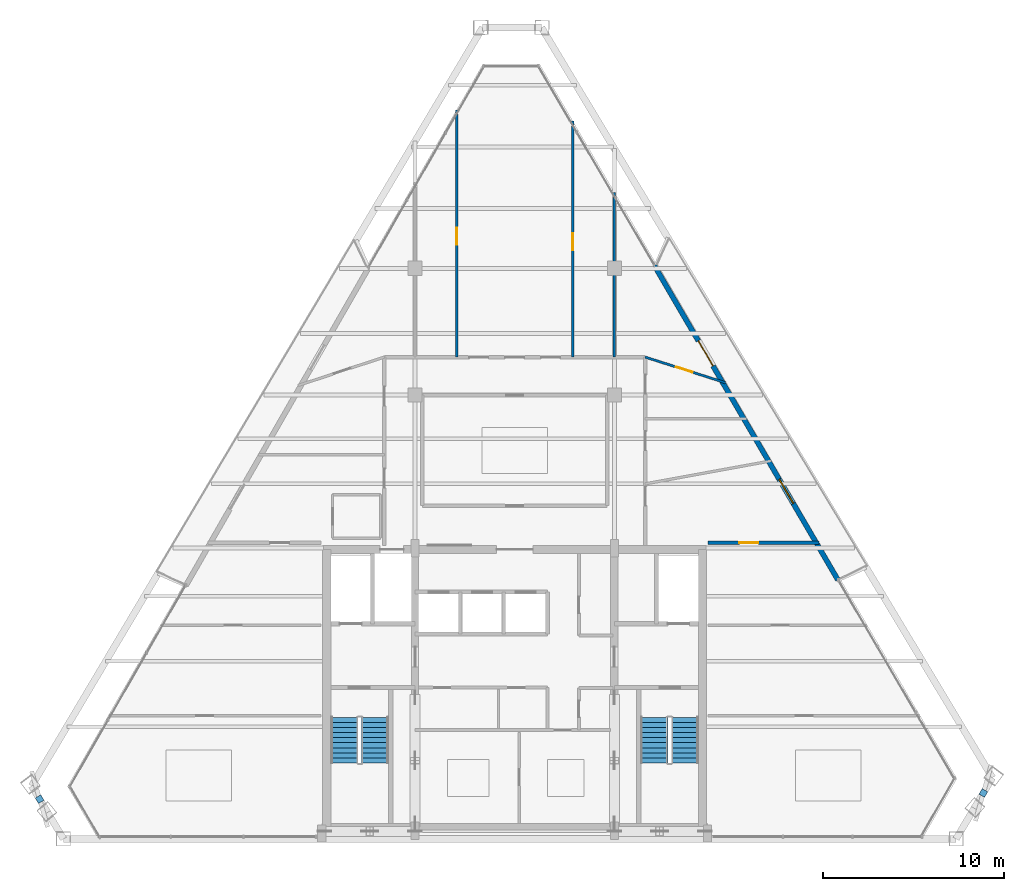
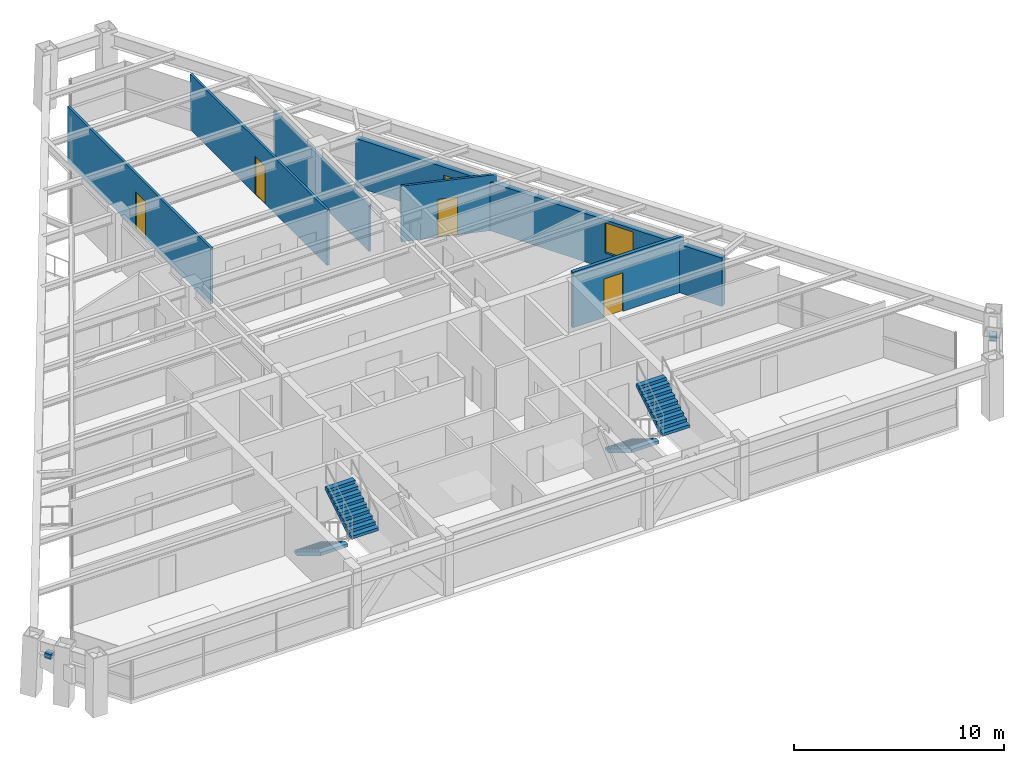
# One storey, part 11 of 13: 6 walls, 5 doors, 4 stair flights, 2 discrete accessories, 1 window, 6 openings, 2 elements without a shape of their own.
"""IFC4 building model written with IfcOpenShell, lengths in metres."""

import ifcopenshell
import ifcopenshell.guid

model = None  # the IFC model being written
_history = None  # IfcOwnerHistory: only IFC2X3 demands one
_inside = {}  # id of a spatial element -> (the spatial element, [elements in it])
_under = {}  # id of a project, library or spatial element -> (it, [spatial elements below it])
_declared = {}  # id of a project -> (the project, [libraries it declares])
_typed = {}  # id of a type object -> (the type object, [elements of that type])
_made_of = {}  # id of a material, layer set ... -> (it, [elements and type objects made of it])


def new_model(schema):
    """Start an empty IFC model of exactly this schema.

    Asked for "IFC4X3", IfcOpenShell would pick the latest addendum, in which some entities
    have other attributes; the version numbers below select the first issue.
    IFC2X3 requires an IfcOwnerHistory on every rooted entity: one is made here for all.
    """
    global model, _history
    if schema == "IFC4X3":
        model = ifcopenshell.file(schema_version=(4, 3, 0, 0))
    else:
        model = ifcopenshell.file(schema=schema)
    _inside.clear()
    _under.clear()
    _declared.clear()
    _typed.clear()
    _made_of.clear()
    _history = None
    if model.schema == "IFC2X3":
        org = make("IfcOrganization", Name="unknown")
        user = make(
            "IfcPersonAndOrganization",
            ThePerson=make("IfcPerson", FamilyName="unknown"),
            TheOrganization=org,
        )
        app = make(
            "IfcApplication",
            ApplicationDeveloper=org,
            Version="unknown",
            ApplicationFullName="unknown",
            ApplicationIdentifier="unknown",
        )
        _history = make(
            "IfcOwnerHistory",
            OwningUser=user,
            OwningApplication=app,
            ChangeAction="ADDED",
            CreationDate=0,
        )
    return model


def make(cls, **values):
    """One entity of the class cls with the attributes given. An attribute that is None is left unset."""
    return model.create_entity(
        cls, **{name: value for name, value in values.items() if value is not None}
    )


def rooted(cls, **values):
    """An entity with a GlobalId (a new one), such as an element, a storey or a relation."""
    return make(cls, GlobalId=ifcopenshell.guid.new(), OwnerHistory=_history, **values)


def si_unit(unit_type, name, prefix=None):
    """IfcSIUnit, for example si_unit("LENGTHUNIT", "METRE", prefix="MILLI")."""
    return make("IfcSIUnit", UnitType=unit_type, Prefix=prefix, Name=name)


def assignment(units):
    """IfcUnitAssignment: the units of a project."""
    return None if units is None else make("IfcUnitAssignment", Units=units)


def point(xyz):
    """IfcCartesianPoint."""
    return None if xyz is None else make("IfcCartesianPoint", Coordinates=xyz)


def direction(xyz):
    """IfcDirection."""
    return None if xyz is None else make("IfcDirection", DirectionRatios=xyz)


def frame(location, z_axis=None, x_axis=None):
    """IfcAxis2Placement3D, a coordinate frame: its origin and axes. An axis left out is left unset."""
    return make(
        "IfcAxis2Placement3D",
        Location=point(location),
        Axis=direction(z_axis),
        RefDirection=direction(x_axis),
    )


def frame_2d(location, x_axis=None):
    """IfcAxis2Placement2D, a coordinate frame in the plane: its origin and x axis."""
    return make(
        "IfcAxis2Placement2D", Location=point(location), RefDirection=direction(x_axis)
    )


def origin():
    """The frame at (0, 0, 0) with its axes left unset."""
    return frame((0.0, 0.0, 0.0))


def origin_2d():
    """The frame at (0, 0) in the plane with its x axis left unset."""
    return frame_2d((0.0, 0.0))


def place(relative_to, where):
    """IfcLocalPlacement: puts the frame where relative to a parent placement (None: the world)."""
    return make(
        "IfcLocalPlacement", PlacementRelTo=relative_to, RelativePlacement=where
    )


def context(
    kind, dimensions, precision=None, world=None, true_north=None, identifier=None
):
    """IfcGeometricRepresentationContext, for example the 3D "Model" context."""
    return make(
        "IfcGeometricRepresentationContext",
        ContextIdentifier=identifier,
        ContextType=kind,
        CoordinateSpaceDimension=dimensions,
        Precision=precision,
        WorldCoordinateSystem=world,
        TrueNorth=true_north,
    )


def subcontext(parent, identifier, kind, view, scale=None):
    """IfcGeometricRepresentationSubContext, for example "Body" below "Model"."""
    return make(
        "IfcGeometricRepresentationSubContext",
        ContextIdentifier=identifier,
        ContextType=kind,
        ParentContext=parent,
        TargetScale=scale,
        TargetView=view,
    )


def project(units=None, contexts=None):
    """IfcProject with its units and contexts."""
    return rooted(
        "IfcProject",
        Name="project",
        RepresentationContexts=contexts,
        UnitsInContext=assignment(units),
    )


def spatial(cls, under=None, at=None, **own):
    """A site, building, storey or space (cls), placed at a placement, below another one or the project."""
    s = rooted(cls, ObjectPlacement=at, **own)
    if under is not None:
        _under.setdefault(under.id(), (under, []))[1].append(s)
    return s


def polyline(points):
    """IfcPolyline through the points."""
    return make("IfcPolyline", Points=[point(p) for p in points])


def profile(cls, at=None, kind="AREA", **sizes):
    """A parametric profile (cls). Its sizes go by their IFC names, for example OverallWidth=200.0."""
    return make(cls, ProfileType=kind, Position=at, **sizes)


def rectangle(**sizes):
    """IfcRectangleProfileDef."""
    return profile("IfcRectangleProfileDef", **sizes)


def outline(outer, holes=None, kind="AREA"):
    """IfcArbitraryClosedProfileDef: a profile drawn as a closed curve; with holes, ...WithVoids."""
    if holes is None:
        return make("IfcArbitraryClosedProfileDef", ProfileType=kind, OuterCurve=outer)
    return make(
        "IfcArbitraryProfileDefWithVoids",
        ProfileType=kind,
        OuterCurve=outer,
        InnerCurves=holes,
    )


def extrude(swept, where, along, depth):
    """IfcExtrudedAreaSolid: the profile swept, set in the frame where, extruded along a direction by depth."""
    return make(
        "IfcExtrudedAreaSolid",
        SweptArea=swept,
        Position=where,
        ExtrudedDirection=direction(along),
        Depth=depth,
    )


def shape(context_of_items, identifier, shape_type, items):
    """IfcShapeRepresentation: the items that make up one representation, for example the "Body"."""
    return make(
        "IfcShapeRepresentation",
        ContextOfItems=context_of_items,
        RepresentationIdentifier=identifier,
        RepresentationType=shape_type,
        Items=items,
    )


def source(mapping_origin, context_of_items, identifier, shape_type, items):
    """IfcRepresentationMap: a shape defined once, which mapped items show again and again."""
    return make(
        "IfcRepresentationMap",
        MappingOrigin=mapping_origin,
        MappedRepresentation=shape(context_of_items, identifier, shape_type, items),
    )


def transform(
    local_origin,
    x_axis=None,
    y_axis=None,
    z_axis=None,
    scale=None,
    scale2=None,
    scale3=None,
    uniform=True,
):
    """IfcCartesianTransformationOperator3D, or its non-uniform kind. x_axis, y_axis, z_axis: its Axis1, 2, 3."""
    if uniform:
        return make(
            "IfcCartesianTransformationOperator3D",
            Axis1=direction(x_axis),
            Axis2=direction(y_axis),
            LocalOrigin=point(local_origin),
            Scale=scale,
            Axis3=direction(z_axis),
        )
    return make(
        "IfcCartesianTransformationOperator3DnonUniform",
        Axis1=direction(x_axis),
        Axis2=direction(y_axis),
        LocalOrigin=point(local_origin),
        Scale=scale,
        Axis3=direction(z_axis),
        Scale2=scale2,
        Scale3=scale3,
    )


def mapped(mapping_source, mapping_target):
    """IfcMappedItem: shows the shape of a source again, moved by a transform."""
    return make(
        "IfcMappedItem", MappingSource=mapping_source, MappingTarget=mapping_target
    )


def material(Name=None, Category=None):
    """IfcMaterial."""
    return make("IfcMaterial", Name=Name, Category=Category)


def layer(
    of_material, thickness, ventilated=None, Name=None, Category=None, Priority=None
):
    """IfcMaterialLayer: one layer of a wall or slab, of a material (None: an air gap)."""
    return make(
        "IfcMaterialLayer",
        Material=of_material,
        LayerThickness=thickness,
        IsVentilated=ventilated,
        Name=Name,
        Category=Category,
        Priority=Priority,
    )


def layer_set(layers, Name=None):
    """IfcMaterialLayerSet."""
    return make("IfcMaterialLayerSet", MaterialLayers=layers, LayerSetName=Name)


def made_of(thing, what):
    """Note that an element or type object is made of a material, layer set ...; save() writes the relation."""
    if what is not None:
        _made_of.setdefault(what.id(), (what, []))[1].append(thing)
    return thing


def type_object(cls, material=None, **own):
    """A type object (cls), such as IfcWallType, which elements share."""
    return made_of(rooted(cls, **own), material)


def type_shapes(of_type, sources):
    """Give a type object the sources (RepresentationMaps) that its elements show as mapped items."""
    of_type.RepresentationMaps = sources


def element(
    cls,
    number,
    at=None,
    inside=None,
    cuts=None,
    type_object=None,
    material=None,
    context=None,
    identifier="Body",
    shape_type=None,
    held_by="IfcProductDefinitionShape",
    body=None,
    shapes=None,
    **own,
):
    """One element of the class cls, such as IfcWall. Its Tag is "e" and its number.

    at: its placement. inside: the storey or other place that contains it. cuts: it is an
    opening in that element (IfcRelVoidsElement). A single representation is given by context,
    identifier, shape_type and body (its items); several are given by shapes. held_by: the class
    of the entity that holds the representations. save() writes the other relations.
    """
    e = rooted(cls, Tag="e%d" % number, ObjectPlacement=at, **own)
    if body is not None:
        shapes = [shape(context, identifier, shape_type, body)]
    if shapes is not None:
        e.Representation = make(held_by, Representations=shapes)
    if inside is not None:
        _inside.setdefault(inside.id(), (inside, []))[1].append(e)
    if cuts is not None:
        rooted(
            "IfcRelVoidsElement", RelatingBuildingElement=cuts, RelatedOpeningElement=e
        )
    if type_object is not None:
        _typed.setdefault(type_object.id(), (type_object, []))[1].append(e)
    return made_of(e, material)


def fill(opening, filler):
    """IfcRelFillsElement: the door or window that sits in an opening."""
    return rooted(
        "IfcRelFillsElement",
        RelatingOpeningElement=opening,
        RelatedBuildingElement=filler,
    )


def aggregate(whole, parts):
    """IfcRelAggregates: a whole, such as a stair, and the parts it consists of."""
    return rooted("IfcRelAggregates", RelatingObject=whole, RelatedObjects=parts)


def save(model, path):
    """Write the relations noted so far, then the file.

    IfcRelAggregates (storeys below a building ...), IfcRelContainedInSpatialStructure (elements
    in a storey), IfcRelDefinesByType, IfcRelAssociatesMaterial and IfcRelDeclares: one each for
    every whole, place, type object, material and project.
    """
    for whole, parts in _under.values():
        aggregate(whole, parts)
    for where, things in _inside.values():
        rooted(
            "IfcRelContainedInSpatialStructure",
            RelatedElements=things,
            RelatingStructure=where,
        )
    for kind, things in _typed.values():
        rooted("IfcRelDefinesByType", RelatedObjects=things, RelatingType=kind)
    for what, things in _made_of.values():
        rooted("IfcRelAssociatesMaterial", RelatedObjects=things, RelatingMaterial=what)
    for by, libraries in _declared.values():
        rooted("IfcRelDeclares", RelatingContext=by, RelatedDefinitions=libraries)
    model.write(path)


model = new_model("IFC4")

# Units and contexts
model_context = context("Model", 3, precision=1e-05, world=origin(), true_north=direction((0.0, 1.0)))
body_context = subcontext(model_context, "Body", "Model", "MODEL_VIEW")
ifc_project = project(units=[si_unit("LENGTHUNIT", "METRE"), si_unit("AREAUNIT", "SQUARE_METRE"), si_unit("VOLUMEUNIT", "CUBIC_METRE"), si_unit("PLANEANGLEUNIT", "RADIAN"), si_unit("MASSUNIT", "GRAM", prefix="KILO")], contexts=[model_context])

# Site, building, storey
site_placement = place(None, origin())
site = spatial("IfcSite", under=ifc_project, at=site_placement, CompositionType="ELEMENT")
building_placement = place(site_placement, origin())
building = spatial("IfcBuilding", under=site, at=building_placement, Name="Varnakhor Terracotta Tower", CompositionType="ELEMENT")
storey_placement = place(building_placement, frame((0.0, 0.0, 286.800048828125)))
storey = spatial("IfcBuildingStorey", under=building, at=storey_placement, Name="L75", CompositionType="ELEMENT", Elevation=286.800048828125)

# Wall, opening, door
ifc_material_1 = material(Name="Fire-Rated Gypsum Stud Partition", Category="gypsum")
ifc_layer_1 = layer(ifc_material_1, 0.18505859375, Name="Fire-Rated Gypsum Stud Partition")
ifc_layer_set_1 = layer_set([ifc_layer_1], Name="Fire-Rated Gypsum Stud Partition")
wall_type_1 = type_object("IfcWallType", Name="WAL-CORR-185", PredefinedType="PARTITIONING", material=ifc_layer_set_1)
wall_1_placement = place(storey_placement, frame((10.679931640625, 16.35009765625, 0.0), z_axis=(0.0, 0.0, 1.0), x_axis=(1.0, 0.0, 0.0)))
wall_1 = element("IfcWall", 1, at=wall_1_placement, inside=storey, type_object=wall_type_1, Name="L75 South East Guest Entry Wall", PredefinedType="PARTITIONING", context=body_context, shape_type="SweptSolid", body=[
    extrude(rectangle(XDim=6.1171875, YDim=0.18505859375, at=frame_2d((3.05859375, 0.0))), origin(), (0.0, 0.0, 1.0), 3.23193359375),
])
opening_1_placement = place(wall_1_placement, frame((1.718017578125, 0.0, 0.0)))
opening_1 = element("IfcOpeningElement", 2, at=opening_1_placement, cuts=wall_1, Name="Opening DR-95", PredefinedType="OPENING", context=body_context, shape_type="SweptSolid", body=[
    extrude(rectangle(XDim=1.050048828125, YDim=2.25, at=frame_2d((0.52490234375, 1.125))), frame((0.0, 0.1025390625, 0.0), z_axis=(0.0, -1.0, 0.0), x_axis=(1.0, 0.0, 0.0)), (0.0, 0.0, 1.0), 0.205078125),
])
ifc_material_2 = material(Name="Solid-Core Timber Tenant/Hotel Entrance Door", Category="wood")
door_type_1 = type_object("IfcDoorType", Name="DR-SUITE-1050X2250", OperationType="NOTDEFINED", PredefinedType="DOOR", material=ifc_material_2)
shared_shape_1 = source(origin(), body_context, "Body", "SweptSolid", [
    extrude(rectangle(XDim=1.050048828125, YDim=2.25, at=frame_2d((0.52490234375, 1.125))), frame((0.0, 0.02490234375, 0.0), z_axis=(0.0, -1.0, 0.0), x_axis=(1.0, 0.0, 0.0)), (0.0, 0.0, 1.0), 0.050048828125),
])
type_shapes(door_type_1, [shared_shape_1])
door_1_placement = place(opening_1_placement, origin())
door_1 = element("IfcDoor", 3, at=door_1_placement, inside=storey, type_object=door_type_1, Name="L75 SE Suite Entry Door", OperationType="SINGLE_SWING_LEFT", OverallHeight=2.25, OverallWidth=1.050048828125, PredefinedType="DOOR", context=body_context, shape_type="MappedRepresentation", body=[
    mapped(shared_shape_1, transform((0.0, 0.0, 0.0), scale=1.0)),
])
fill(opening_1, door_1)

# Wall, openings, door, window
ifc_material_3 = material(Name="Extruded Architectural Terracotta Assembly", Category="masonry")
ifc_layer_2 = layer(ifc_material_3, 0.280029296875, Name="Extruded Architectural Terracotta Assembly")
ifc_layer_set_2 = layer_set([ifc_layer_2], Name="Extruded Architectural Terracotta Assembly")
wall_type_2 = type_object("IfcWallType", Name="WAL-EXT-TERRACOTTA-280", PredefinedType="SOLIDWALL", material=ifc_layer_set_2)
wall_2_placement = place(storey_placement, frame((7.70849609375, 31.655517578125, 0.0), z_axis=(0.0, 0.0, 1.0), x_axis=(0.504292445958, -0.86353293449, 0.0)))
wall_2 = element("IfcWall", 4, at=wall_2_placement, inside=storey, type_object=wall_type_2, Name="L75 E Loggia Insulated Terracotta Wall", PredefinedType="SOLIDWALL", context=body_context, shape_type="SweptSolid", body=[
    extrude(rectangle(XDim=20.096435546875, YDim=0.280029296875, at=frame_2d((10.04833984375, 0.0))), origin(), (0.0, 0.0, 1.0), 2.820068359375),
])
opening_2_placement = place(wall_2_placement, frame((4.8232421875, 0.0, 0.0)))
opening_2 = element("IfcOpeningElement", 5, at=opening_2_placement, cuts=wall_2, Name="Opening DR-62", PredefinedType="OPENING", context=body_context, shape_type="SweptSolid", body=[
    extrude(rectangle(XDim=1.60009765625, YDim=2.35009765625, at=frame_2d((0.800048828125, 1.175048828125))), frame((0.0, 0.14990234375, 0.0), z_axis=(0.0, -1.0, 0.0), x_axis=(1.0, 0.0, 0.0)), (0.0, 0.0, 1.0), 0.300048828125),
])
opening_3_placement = place(wall_2_placement, frame((13.66552734375, 0.0, 0.89990234375)))
opening_3 = element("IfcOpeningElement", 6, at=opening_3_placement, cuts=wall_2, Name="Opening WN-59", PredefinedType="OPENING", context=body_context, shape_type="SweptSolid", body=[
    extrude(rectangle(XDim=1.550048828125, YDim=1.75, at=frame_2d((0.77490234375, 0.875))), frame((0.0, 0.14990234375, 0.0), z_axis=(0.0, -1.0, 0.0), x_axis=(1.0, 0.0, 0.0)), (0.0, 0.0, 1.0), 0.300048828125),
])
ifc_material_4 = material(Name="Thermally Broken Sliding Glass Loggia Door", Category="glass")
door_type_2 = type_object("IfcDoorType", Name="DR-EXT-LOGGIA-1600X2350", OperationType="NOTDEFINED", PredefinedType="DOOR", material=ifc_material_4)
shared_shape_2 = source(origin(), body_context, "Body", "SweptSolid", [
    extrude(rectangle(XDim=1.60009765625, YDim=2.35009765625, at=frame_2d((0.800048828125, 1.175048828125))), frame((0.0, 0.02490234375, 0.0), z_axis=(0.0, -1.0, 0.0), x_axis=(1.0, 0.0, 0.0)), (0.0, 0.0, 1.0), 0.050048828125),
])
type_shapes(door_type_2, [shared_shape_2])
door_2_placement = place(opening_2_placement, origin())
door_2 = element("IfcDoor", 7, at=door_2_placement, inside=storey, type_object=door_type_2, Name="L75 E Recessed Loggia Sliding Door", OperationType="SLIDING_TO_RIGHT", OverallHeight=2.35009765625, OverallWidth=1.60009765625, PredefinedType="DOOR", context=body_context, shape_type="MappedRepresentation", body=[
    mapped(shared_shape_2, transform((0.0, 0.0, 0.0), scale=1.0)),
])
fill(opening_2, door_2)
ifc_material_5 = material(Name="Solar-Control Low-E Insulated Glass Unit", Category="glass")
window_type = type_object("IfcWindowType", Name="WIN-HTL-1500X1950", PartitioningType="SINGLE_PANEL", PredefinedType="WINDOW", material=ifc_material_5)
shared_shape_3 = source(origin(), body_context, "Body", "SweptSolid", [
    extrude(rectangle(XDim=1.550048828125, YDim=1.75, at=frame_2d((0.77490234375, 0.875))), frame((0.0, 0.030029296875, 0.0), z_axis=(0.0, -1.0, 0.0), x_axis=(1.0, 0.0, 0.0)), (0.0, 0.0, 1.0), 0.06005859375),
])
type_shapes(window_type, [shared_shape_3])
window_placement = place(opening_3_placement, origin())
window = element("IfcWindow", 8, at=window_placement, inside=storey, type_object=window_type, Name="L75 E Facet Punched Window", OverallHeight=1.75, OverallWidth=1.550048828125, PartitioningType="SINGLE_PANEL", PredefinedType="WINDOW", context=body_context, shape_type="MappedRepresentation", body=[
    mapped(shared_shape_3, transform((0.0, 0.0, 0.0), scale=1.0)),
])
fill(opening_3, window)

# Wall, opening, door
ifc_material_6 = material(Name="Acoustic Hotel Room Partition", Category="gypsum")
ifc_layer_3 = layer(ifc_material_6, 0.1298828125, Name="Acoustic Hotel Room Partition")
ifc_layer_set_3 = layer_set([ifc_layer_3], Name="Acoustic Hotel Room Partition")
wall_type_3 = type_object("IfcWallType", Name="WAL-PART-130", PredefinedType="PARTITIONING", material=ifc_layer_set_3)
wall_3_placement = place(storey_placement, frame((7.199951171875, 26.60009765625, 0.0), z_axis=(0.0, 0.0, 1.0), x_axis=(0.952553600786, -0.304370888275, 0.0)))
wall_3 = element("IfcWall", 9, at=wall_3_placement, inside=storey, type_object=wall_type_3, Name="L75 North East Suite South Wall", PredefinedType="PARTITIONING", context=body_context, shape_type="SweptSolid", body=[
    extrude(rectangle(XDim=4.6611328125, YDim=0.1298828125, at=frame_2d((2.33056640625, 0.0))), origin(), (0.0, 0.0, 1.0), 3.23193359375),
])
opening_4_placement = place(wall_3_placement, frame((1.795654296875, 0.0, 0.0)))
opening_4 = element("IfcOpeningElement", 10, at=opening_4_placement, cuts=wall_3, Name="Opening DR-94", PredefinedType="OPENING", context=body_context, shape_type="SweptSolid", body=[
    extrude(rectangle(XDim=0.949951171875, YDim=2.199951171875, at=frame_2d((0.47509765625, 1.10009765625))), frame((0.0, 0.074951171875, 0.0), z_axis=(0.0, -1.0, 0.0), x_axis=(1.0, 0.0, 0.0)), (0.0, 0.0, 1.0), 0.14990234375),
])
ifc_material_7 = material(Name="Acoustic Glazed-Vision Timber Office Door", Category="wood")
door_type_3 = type_object("IfcDoorType", Name="DR-OFF-950X2200", OperationType="NOTDEFINED", PredefinedType="DOOR", material=ifc_material_7)
shared_shape_4 = source(origin(), body_context, "Body", "SweptSolid", [
    extrude(rectangle(XDim=0.949951171875, YDim=2.199951171875, at=frame_2d((0.47509765625, 1.10009765625))), frame((0.0, 0.02490234375, 0.0), z_axis=(0.0, -1.0, 0.0), x_axis=(1.0, 0.0, 0.0)), (0.0, 0.0, 1.0), 0.050048828125),
])
type_shapes(door_type_3, [shared_shape_4])
door_3_placement = place(opening_4_placement, origin())
door_3 = element("IfcDoor", 11, at=door_3_placement, inside=storey, type_object=door_type_3, Name="L75 Hearing Registry Office NE Door", OperationType="SINGLE_SWING_LEFT", OverallHeight=2.199951171875, OverallWidth=0.949951171875, PredefinedType="DOOR", context=body_context, shape_type="MappedRepresentation", body=[
    mapped(shared_shape_4, transform((0.0, 0.0, 0.0), scale=1.0)),
])
fill(opening_4, door_3)

# Wall
wall_4_placement = place(storey_placement, frame((5.5, 26.60009765625, 0.0), z_axis=(0.0, 0.0, 1.0), x_axis=(0.0, 1.0, 0.0)))
element("IfcWall", 12, at=wall_4_placement, inside=storey, type_object=wall_type_3, Name="L75 North East Column Wall", PredefinedType="PARTITIONING", context=body_context, shape_type="SweptSolid", body=[
    extrude(rectangle(XDim=9.0947265625, YDim=0.1298828125, at=frame_2d((4.54736328125, 0.0))), origin(), (0.0, 0.0, 1.0), 2.682861328125),
])

# Wall, opening, door
wall_5_placement = place(storey_placement, frame((-3.199951171875, 26.60009765625, 0.0), z_axis=(0.0, 0.0, 1.0), x_axis=(0.0, 1.0, 0.0)))
wall_5 = element("IfcWall", 13, at=wall_5_placement, inside=storey, type_object=wall_type_3, Name="L75 North Suite Split 1", PredefinedType="PARTITIONING", context=body_context, shape_type="SweptSolid", body=[
    extrude(rectangle(XDim=13.648193359375, YDim=0.1298828125, at=frame_2d((6.82421875, 0.0))), origin(), (0.0, 0.0, 1.0), 3.23193359375),
])
opening_5_placement = place(wall_5_placement, frame((6.19580078125, 0.0, 0.0)))
opening_5 = element("IfcOpeningElement", 14, at=opening_5_placement, cuts=wall_5, Name="Opening DR-94", PredefinedType="OPENING", context=body_context, shape_type="SweptSolid", body=[
    extrude(rectangle(XDim=0.949951171875, YDim=2.199951171875, at=frame_2d((0.47509765625, 1.10009765625))), frame((0.0, 0.074951171875, 0.0), z_axis=(0.0, -1.0, 0.0), x_axis=(1.0, 0.0, 0.0)), (0.0, 0.0, 1.0), 0.14990234375),
])
door_4_placement = place(opening_5_placement, origin())
door_4 = element("IfcDoor", 15, at=door_4_placement, inside=storey, type_object=door_type_3, Name="L75 Wellness Yoga Gym 12 Door", OperationType="SINGLE_SWING_RIGHT", OverallHeight=2.199951171875, OverallWidth=0.949951171875, PredefinedType="DOOR", context=body_context, shape_type="MappedRepresentation", body=[
    mapped(shared_shape_4, transform((0.0, 0.0, 0.0), scale=1.0)),
])
fill(opening_5, door_4)

wall_6_placement = place(storey_placement, frame((3.199951171875, 26.60009765625, 0.0), z_axis=(0.0, 0.0, 1.0), x_axis=(0.0, 1.0, 0.0)))
wall_6 = element("IfcWall", 16, at=wall_6_placement, inside=storey, type_object=wall_type_3, Name="L75 North Suite Split 2", PredefinedType="PARTITIONING", context=body_context, shape_type="SweptSolid", body=[
    extrude(rectangle(XDim=13.033203125, YDim=0.1298828125, at=frame_2d((6.5166015625, 0.0))), origin(), (0.0, 0.0, 1.0), 3.23193359375),
])
opening_6_placement = place(wall_6_placement, frame((5.892578125, 0.0, 0.0)))
opening_6 = element("IfcOpeningElement", 17, at=opening_6_placement, cuts=wall_6, Name="Opening DR-94", PredefinedType="OPENING", context=body_context, shape_type="SweptSolid", body=[
    extrude(rectangle(XDim=0.949951171875, YDim=2.199951171875, at=frame_2d((0.47509765625, 1.10009765625))), frame((0.0, 0.074951171875, 0.0), z_axis=(0.0, -1.0, 0.0), x_axis=(1.0, 0.0, 0.0)), (0.0, 0.0, 1.0), 0.14990234375),
])
door_5_placement = place(opening_6_placement, origin())
door_5 = element("IfcDoor", 18, at=door_5_placement, inside=storey, type_object=door_type_3, Name="L75 Hearing Registry Office 11 Door", OperationType="SINGLE_SWING_LEFT", OverallHeight=2.199951171875, OverallWidth=0.949951171875, PredefinedType="DOOR", context=body_context, shape_type="MappedRepresentation", body=[
    mapped(shared_shape_4, transform((0.0, 0.0, 0.0), scale=1.0)),
])
fill(opening_6, door_5)

# Stair, stair flights
ifc_material_8 = material(Name="Concrete C40/50", Category="concrete")
stair_type = type_object("IfcStairType", Name="STR-CORE-HOTEL-1500", PredefinedType="HALF_TURN_STAIR", material=ifc_material_8)
stair_1_placement = place(storey_placement, origin())
stair_1 = element("IfcStair", 19, at=stair_1_placement, inside=storey, type_object=stair_type, Name="L75 Core Exit Stair ST-1", PredefinedType="HALF_TURN_STAIR")
stair_flight_type = type_object("IfcStairFlightType", Name="FLT-HOTEL-1500", PredefinedType="STRAIGHT", material=ifc_material_8)
stair_flight_1_placement = place(storey_placement, frame((-9.39990234375, 6.7099609375, 0.0), z_axis=(0.0, 0.0, 1.0), x_axis=(0.0, -1.0, 0.0)))
stair_flight_1 = element("IfcStairFlight", 20, at=stair_flight_1_placement, type_object=stair_flight_type, Name="ST-1 flight 1", NumberOfRisers=10, NumberOfTreads=9, PredefinedType="STRAIGHT", RiserHeight=0.1725, TreadLength=0.28, context=body_context, shape_type="SweptSolid", body=[
    extrude(outline(polyline([(0.0, 0.0), (0.0, 0.172607421875), (0.280029296875, 0.172607421875), (0.280029296875, 0.344970703125), (0.56005859375, 0.344970703125), (0.56005859375, 0.517578125), (0.840087890625, 0.517578125), (0.840087890625, 0.68994140625), (1.1201171875, 0.68994140625), (1.1201171875, 0.862548828125), (1.39990234375, 0.862548828125), (1.39990234375, 1.034912109375), (1.679931640625, 1.034912109375), (1.679931640625, 1.20751953125), (1.9599609375, 1.20751953125), (1.9599609375, 1.3798828125), (2.239990234375, 1.3798828125), (2.239990234375, 1.552490234375), (2.52001953125, 1.552490234375), (2.52001953125, 1.72509765625), (2.52001953125, 1.36474609375), (0.304931640625, 0.0), (0.0, 0.0)])), frame((0.0, 0.75, 0.0), z_axis=(0.0, -1.0, 0.0), x_axis=(1.0, 0.0, 0.0)), (0.0, 0.0, 1.0), 1.5),
])
stair_flight_2_placement = place(storey_placement, frame((-7.699951171875, 4.18994140625, 1.724853515625), z_axis=(0.0, 0.0, 1.0), x_axis=(0.0, 1.0, 0.0)))
stair_flight_2 = element("IfcStairFlight", 21, at=stair_flight_2_placement, type_object=stair_flight_type, Name="ST-1 flight 2", NumberOfRisers=10, NumberOfTreads=9, PredefinedType="STRAIGHT", RiserHeight=0.1725, TreadLength=0.28, context=body_context, shape_type="SweptSolid", body=[
    extrude(outline(polyline([(0.0, 0.0), (0.0, 0.172607421875), (0.280029296875, 0.172607421875), (0.280029296875, 0.344970703125), (0.56005859375, 0.344970703125), (0.56005859375, 0.517578125), (0.840087890625, 0.517578125), (0.840087890625, 0.68994140625), (1.1201171875, 0.68994140625), (1.1201171875, 0.862548828125), (1.39990234375, 0.862548828125), (1.39990234375, 1.034912109375), (1.679931640625, 1.034912109375), (1.679931640625, 1.20751953125), (1.9599609375, 1.20751953125), (1.9599609375, 1.3798828125), (2.239990234375, 1.3798828125), (2.239990234375, 1.552490234375), (2.52001953125, 1.552490234375), (2.52001953125, 1.72509765625), (2.52001953125, 1.36474609375), (0.304931640625, 0.0), (0.0, 0.0)])), frame((0.0, 0.75, 0.0), z_axis=(0.0, -1.0, 0.0), x_axis=(1.0, 0.0, 0.0)), (0.0, 0.0, 1.0), 1.5),
])
aggregate(stair_1, [stair_flight_1, stair_flight_2])

stair_2_placement = place(storey_placement, origin())
stair_2 = element("IfcStair", 22, at=stair_2_placement, inside=storey, type_object=stair_type, Name="L75 Core Exit Stair ST-2", PredefinedType="HALF_TURN_STAIR")
stair_flight_3_placement = place(storey_placement, frame((7.699951171875, 6.7099609375, 0.0), z_axis=(0.0, 0.0, 1.0), x_axis=(0.0, -1.0, 0.0)))
stair_flight_3 = element("IfcStairFlight", 23, at=stair_flight_3_placement, type_object=stair_flight_type, Name="ST-2 flight 1", NumberOfRisers=10, NumberOfTreads=9, PredefinedType="STRAIGHT", RiserHeight=0.1725, TreadLength=0.28, context=body_context, shape_type="SweptSolid", body=[
    extrude(outline(polyline([(0.0, 0.0), (0.0, 0.172607421875), (0.280029296875, 0.172607421875), (0.280029296875, 0.344970703125), (0.56005859375, 0.344970703125), (0.56005859375, 0.517578125), (0.840087890625, 0.517578125), (0.840087890625, 0.68994140625), (1.1201171875, 0.68994140625), (1.1201171875, 0.862548828125), (1.39990234375, 0.862548828125), (1.39990234375, 1.034912109375), (1.679931640625, 1.034912109375), (1.679931640625, 1.20751953125), (1.9599609375, 1.20751953125), (1.9599609375, 1.3798828125), (2.239990234375, 1.3798828125), (2.239990234375, 1.552490234375), (2.52001953125, 1.552490234375), (2.52001953125, 1.72509765625), (2.52001953125, 1.36474609375), (0.304931640625, 0.0), (0.0, 0.0)])), frame((0.0, 0.75, 0.0), z_axis=(0.0, -1.0, 0.0), x_axis=(1.0, 0.0, 0.0)), (0.0, 0.0, 1.0), 1.5),
])
stair_flight_4_placement = place(storey_placement, frame((9.39990234375, 4.18994140625, 1.724853515625), z_axis=(0.0, 0.0, 1.0), x_axis=(0.0, 1.0, 0.0)))
stair_flight_4 = element("IfcStairFlight", 24, at=stair_flight_4_placement, type_object=stair_flight_type, Name="ST-2 flight 2", NumberOfRisers=10, NumberOfTreads=9, PredefinedType="STRAIGHT", RiserHeight=0.1725, TreadLength=0.28, context=body_context, shape_type="SweptSolid", body=[
    extrude(outline(polyline([(0.0, 0.0), (0.0, 0.172607421875), (0.280029296875, 0.172607421875), (0.280029296875, 0.344970703125), (0.56005859375, 0.344970703125), (0.56005859375, 0.517578125), (0.840087890625, 0.517578125), (0.840087890625, 0.68994140625), (1.1201171875, 0.68994140625), (1.1201171875, 0.862548828125), (1.39990234375, 0.862548828125), (1.39990234375, 1.034912109375), (1.679931640625, 1.034912109375), (1.679931640625, 1.20751953125), (1.9599609375, 1.20751953125), (1.9599609375, 1.3798828125), (2.239990234375, 1.3798828125), (2.239990234375, 1.552490234375), (2.52001953125, 1.552490234375), (2.52001953125, 1.72509765625), (2.52001953125, 1.36474609375), (0.304931640625, 0.0), (0.0, 0.0)])), frame((0.0, 0.75, 0.0), z_axis=(0.0, -1.0, 0.0), x_axis=(1.0, 0.0, 0.0)), (0.0, 0.0, 1.0), 1.5),
])
aggregate(stair_2, [stair_flight_3, stair_flight_4])

# Discrete accessories
ifc_material_9 = material(Name="Stainless Steel Fixing Bracket", Category="steel")
discrete_accessory_type = type_object("IfcDiscreteAccessoryType", Name="BRACKET-TERRACOTTA-SCREEN", PredefinedType="BRACKET", material=ifc_material_9)
shared_shape_5 = source(origin(), body_context, "Body", "SweptSolid", [
    extrude(rectangle(XDim=0.35009765625, YDim=0.35009765625, at=origin_2d()), origin(), (0.0, 0.0, 1.0), 0.280029296875),
])
type_shapes(discrete_accessory_type, [shared_shape_5])
for number, where, z_axis, x_axis, name in (
    (25, (25.87109375, 2.534912109375, 2.3369140625), (0.0, 0.0, 1.0), (0.511113081207, 0.859513477625, 0.0), "L75 E Screen Fixing Bracket"),
    (26, (-26.226318359375, 2.193603515625, 2.3369140625), (0.0, 0.0, 1.0), (0.515187670981, -0.857077396545, 0.0), "L75 W Screen Fixing Bracket"),
):
    element("IfcDiscreteAccessory", number, at=place(storey_placement, frame(where, z_axis=z_axis, x_axis=x_axis)), inside=storey, type_object=discrete_accessory_type, Name=name, PredefinedType="BRACKET", context=body_context, shape_type="MappedRepresentation", body=[
        mapped(shared_shape_5, transform((0.0, 0.0, 0.0), scale=1.0)),
    ])

save(model, "model.ifc")
